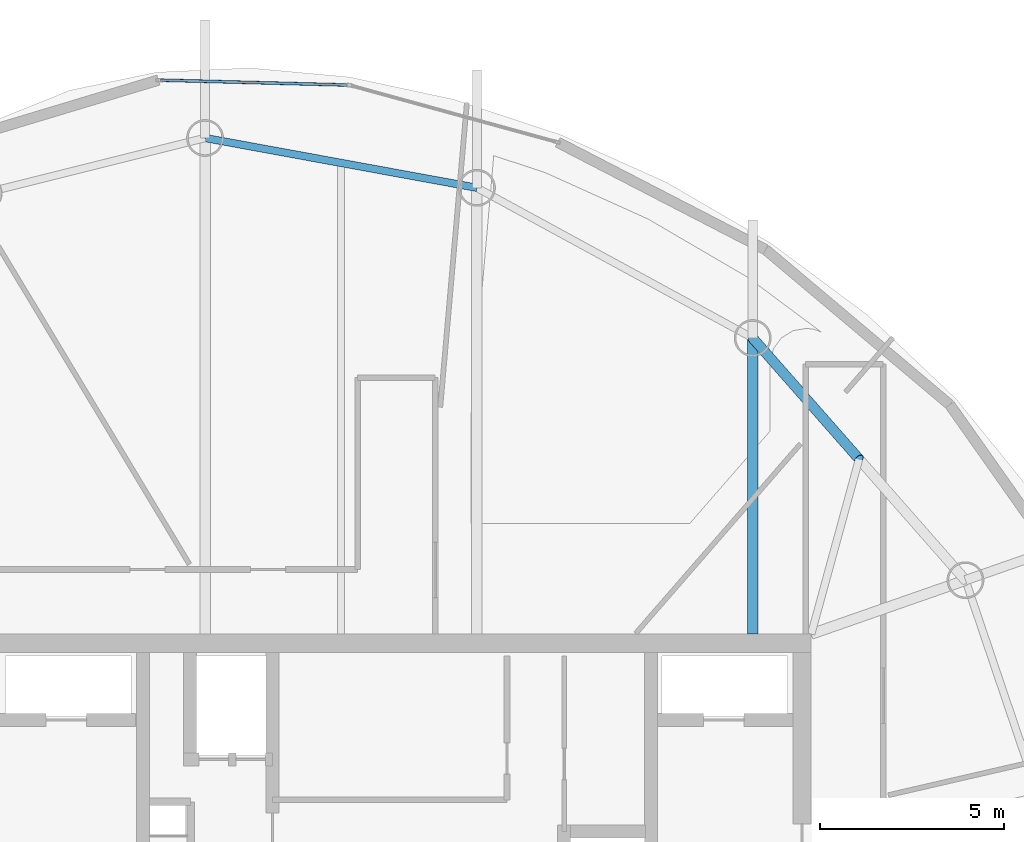
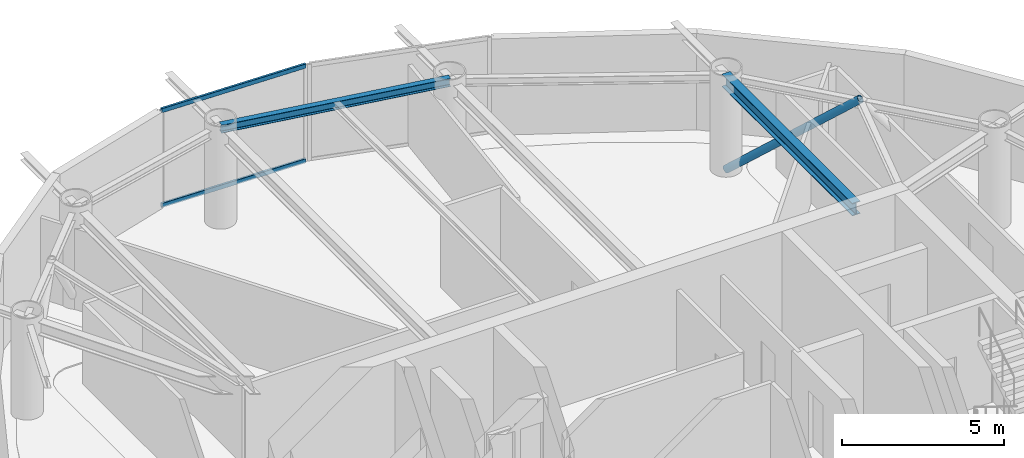
# One storey, part 12 of 20: 3 members, 2 beams, 1 element without a shape of its own.
"""IFC4 building model written with IfcOpenShell, lengths in metres."""

from ifc_helpers import new_model, si_unit, direction, frame, origin, origin_2d, place, context, subcontext, project, spatial, hollow_rectangle, hollow_circle, i_section, extrude, material, layer, layer_set, material_profile, profile_set, type_object, element, aggregate, save


model = new_model("IFC4")

# Units and contexts
model_context = context("Model", 3, precision=1e-05, world=origin(), true_north=direction((0.0, 1.0)))
body_context = subcontext(model_context, "Body", "Model", "MODEL_VIEW")
ifc_project = project(units=[si_unit("LENGTHUNIT", "METRE"), si_unit("AREAUNIT", "SQUARE_METRE"), si_unit("VOLUMEUNIT", "CUBIC_METRE"), si_unit("PLANEANGLEUNIT", "RADIAN"), si_unit("MASSUNIT", "GRAM", prefix="KILO")], contexts=[model_context])

# Site, building, storey
site_placement = place(None, origin())
site = spatial("IfcSite", under=ifc_project, at=site_placement, CompositionType="ELEMENT")
building_placement = place(site_placement, origin())
building = spatial("IfcBuilding", under=site, at=building_placement, Name="Bramvorn Convention Spire", CompositionType="ELEMENT")
storey_placement = place(building_placement, frame((0.0, 0.0, 284.39990234375)))
storey = spatial("IfcBuildingStorey", under=building, at=storey_placement, Name="L72", CompositionType="ELEMENT", Elevation=284.39990234375)

# Beams
ifc_material_1 = material(Name="Steel CSA G40.21 Grade 350 (350W)", Category="steel")
ifc_material_profile_1 = material_profile(ifc_material_1, i_section(OverallWidth=0.202880859375, OverallDepth=0.302978515625, WebThickness=0.007568359375, FlangeThickness=0.01318359375, FilletRadius=0.013916015625, at=origin_2d()))
ifc_profile_set_1 = profile_set([ifc_material_profile_1], Name="Steel CSA G40.21 Grade 350 (350W) - W310X60")
beam_type_1 = type_object("IfcBeamType", Name="BM-W310X60", PredefinedType="JOIST", material=ifc_profile_set_1)
beam_1_placement = place(storey_placement, frame((40.1845703125, 45.55078125, 3.4736328125), z_axis=(-0.983645049461, 0.180117785547, 0.0), x_axis=(-0.180117785547, -0.983645049461, 0.0)))
element("IfcBeam", 1, at=beam_1_placement, inside=storey, type_object=beam_type_1, Name="L72 mega-column ring beam 07", PredefinedType="JOIST", context=body_context, shape_type="SweptSolid", body=[
    extrude(i_section(OverallWidth=0.202880859375, OverallDepth=0.302978515625, WebThickness=0.007568359375, FlangeThickness=0.01318359375, FilletRadius=0.013916015625, at=origin_2d()), origin(), (0.0, 0.0, 1.0), 7.49560546875),
])
ifc_material_profile_2 = material_profile(ifc_material_1, i_section(OverallWidth=0.283935546875, OverallDepth=0.47607421875, WebThickness=0.014892578125, FlangeThickness=0.02392578125, FilletRadius=0.01806640625, at=origin_2d()))
ifc_profile_set_2 = profile_set([ifc_material_profile_2], Name="Steel CSA G40.21 Grade 350 (350W) - W460X158")
beam_type_2 = type_object("IfcBeamType", Name="BM-W460X158", PredefinedType="SPANDREL", material=ifc_profile_set_2)
beam_2_placement = place(storey_placement, frame((47.662353515625, 33.449951171875, 3.38720703125), z_axis=(0.0, 1.0, 0.0), x_axis=(-1.0, 0.0, 0.0)))
element("IfcBeam", 2, at=beam_2_placement, inside=storey, type_object=beam_type_2, Name="L72 radial floor girder MC06", PredefinedType="SPANDREL", context=body_context, shape_type="SweptSolid", body=[
    extrude(i_section(OverallWidth=0.283935546875, OverallDepth=0.47607421875, WebThickness=0.014892578125, FlangeThickness=0.02392578125, FilletRadius=0.01806640625, at=origin_2d()), origin(), (0.0, 0.0, 1.0), 8.02685546875),
])

# Curtain wall, members
ifc_material_2 = material(Name="Anodised Bronze Unitised Curtain Wall", Category="aluminium")
ifc_layer = layer(ifc_material_2, 0.179931640625)
ifc_layer_set = layer_set([ifc_layer], Name="Anodised Bronze Unitised Curtain Wall - CW-OFF-FRIT")
curtain_wall_type = type_object("IfcCurtainWallType", Name="CW-OFF-FRIT", PredefinedType="USERDEFINED", material=ifc_layer_set)
curtain_wall_placement = place(storey_placement, origin())
curtain_wall = element("IfcCurtainWall", 3, at=curtain_wall_placement, inside=storey, type_object=curtain_wall_type, Name="L72 fritted glass curtain wall 11", ObjectType="UNITISED CURTAIN WALL", PredefinedType="USERDEFINED")
ifc_material_3 = material(Name="Anodised Bronze Aluminium 6063-T6", Category="aluminium")
ifc_material_profile_3 = material_profile(ifc_material_3, hollow_rectangle(XDim=0.080078125, YDim=0.159912109375, WallThickness=0.00390625, InnerFilletRadius=0.0009765625, OuterFilletRadius=0.00390625, at=origin_2d()))
ifc_profile_set_3 = profile_set([ifc_material_profile_3], Name="Anodised Bronze Aluminium 6063-T6 - CWT80X160")
member_type_1 = type_object("IfcMemberType", Name="CW-TRN-150", PredefinedType="USERDEFINED", material=ifc_profile_set_3)
member_1_placement = place(storey_placement, frame((31.6064453125, 48.47021484375, 0.030029296875), z_axis=(0.999655353902, -0.026252112601, 0.0), x_axis=(0.026252112601, 0.999655353902, 0.0)))
member_1 = element("IfcMember", 4, at=member_1_placement, type_object=member_type_1, Name="CW3 transom 1.1", ObjectType="TRANSOM", PredefinedType="USERDEFINED", context=body_context, shape_type="SweptSolid", body=[
    extrude(hollow_rectangle(XDim=0.080078125, YDim=0.159912109375, WallThickness=0.00390625, InnerFilletRadius=0.0009765625, OuterFilletRadius=0.00390625, at=origin_2d()), origin(), (0.0, 0.0, 1.0), 5.05908203125),
])
member_2_placement = place(storey_placement, frame((31.6064453125, 48.47021484375, 3.59521484375), z_axis=(0.999655353902, -0.026252112601, 0.0), x_axis=(0.026252112601, 0.999655353902, 0.0)))
member_2 = element("IfcMember", 5, at=member_2_placement, type_object=member_type_1, Name="CW3 transom 1.2", ObjectType="TRANSOM", PredefinedType="USERDEFINED", context=body_context, shape_type="SweptSolid", body=[
    extrude(hollow_rectangle(XDim=0.080078125, YDim=0.159912109375, WallThickness=0.00390625, InnerFilletRadius=0.0009765625, OuterFilletRadius=0.00390625, at=origin_2d()), origin(), (0.0, 0.0, 1.0), 5.05908203125),
])
aggregate(curtain_wall, [member_1, member_2])

# Member
ifc_material_profile_4 = material_profile(ifc_material_1, hollow_circle(Radius=0.136474609375, WallThickness=0.0126953125, at=origin_2d()))
ifc_profile_set_4 = profile_set([ifc_material_profile_4], Name="Steel CSA G40.21 Grade 350 (350W) - CHS273X13")
member_type_2 = type_object("IfcMemberType", Name="MBR-CHS273X13", PredefinedType="BRACE", material=ifc_profile_set_4)
member_3_placement = place(storey_placement, frame((47.662353515625, 41.476806640625, 0.0), z_axis=(0.50809370726, -0.578215626074, 0.63836312112), x_axis=(0.751187558161, 0.660088821648, 0.0)))
element("IfcMember", 6, at=member_3_placement, inside=storey, type_object=member_type_2, Name="L72 perimeter Gothic lancet brace 5B", PredefinedType="BRACE", context=body_context, shape_type="SweptSolid", body=[
    extrude(hollow_circle(Radius=0.136474609375, WallThickness=0.0126953125, at=origin_2d()), origin(), (0.0, 0.0, 1.0), 5.678466796875),
])

save(model, "model.ifc")
